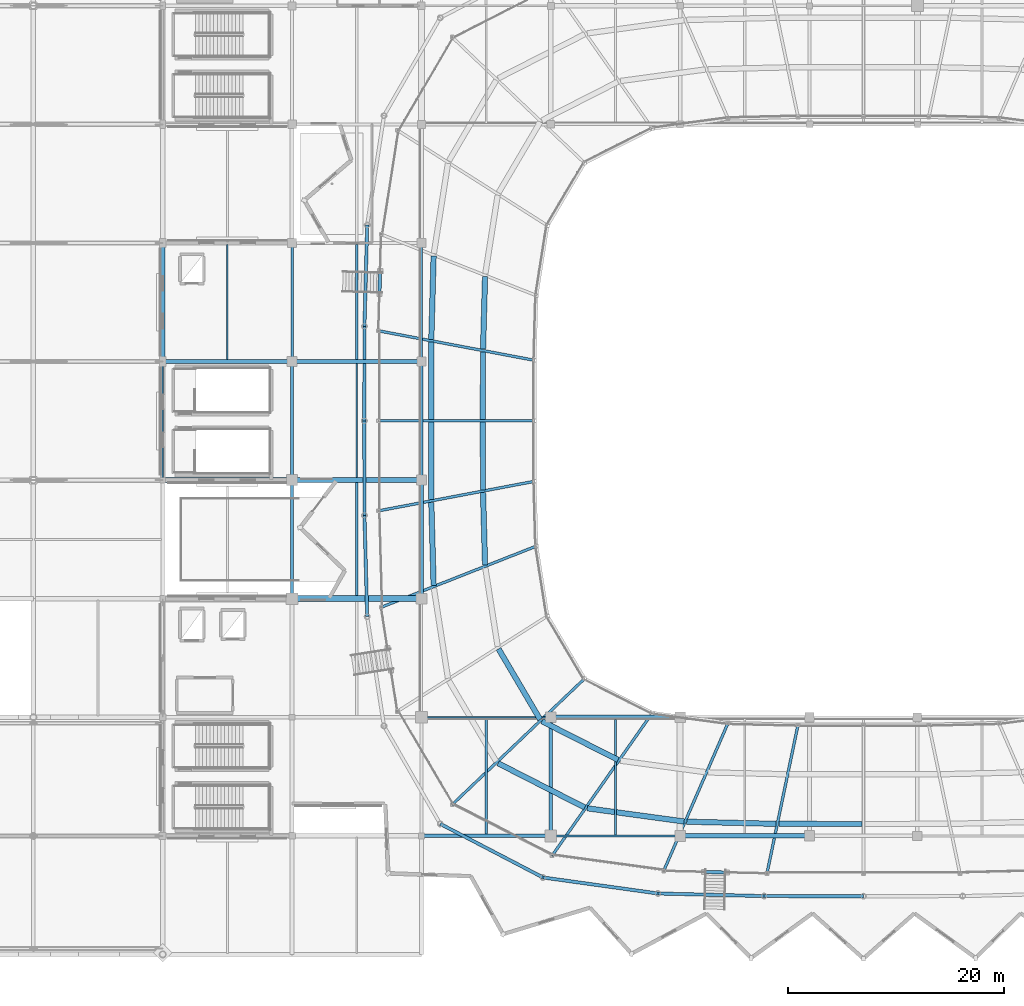
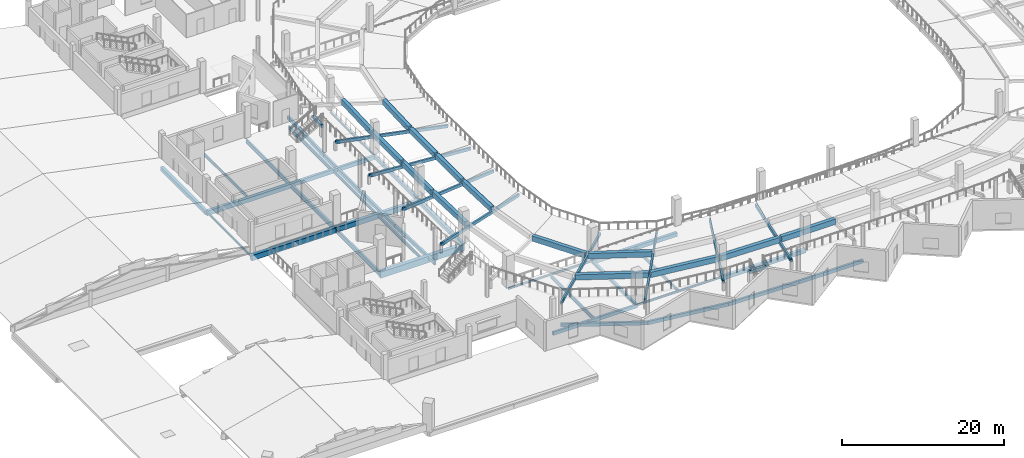
# One storey, part 28 of 77: 57 beams.
"""IFC4 building model written with IfcOpenShell, lengths in metres."""

from ifc_helpers import new_model, si_unit, direction, frame, origin, origin_2d, place, context, subcontext, project, spatial, rectangle, hollow_rectangle, i_section, extrude, material, material_profile, profile_set, type_object, element, save


model = new_model("IFC4")

# Units and contexts
model_context = context("Model", 3, precision=1e-05, world=origin(), true_north=direction((0.0, 1.0)))
body_context = subcontext(model_context, "Body", "Model", "MODEL_VIEW")
ifc_project = project(units=[si_unit("LENGTHUNIT", "METRE"), si_unit("AREAUNIT", "SQUARE_METRE"), si_unit("VOLUMEUNIT", "CUBIC_METRE"), si_unit("PLANEANGLEUNIT", "RADIAN"), si_unit("MASSUNIT", "GRAM", prefix="KILO")], contexts=[model_context])

# Site, building, storey
site_placement = place(None, origin())
site = spatial("IfcSite", under=ifc_project, at=site_placement, CompositionType="ELEMENT")
building_placement = place(site_placement, origin())
building = spatial("IfcBuilding", under=site, at=building_placement, Name="Luwafu Chhajja Arena", CompositionType="ELEMENT")
storey_placement = place(building_placement, frame((0.0, 0.0, 14.699951171875)))
storey = spatial("IfcBuildingStorey", under=building, at=storey_placement, Name="L03", CompositionType="ELEMENT", Elevation=14.699951171875)

# Beams
ifc_material_1 = material(Name="Concrete C35/45", Category="concrete")
ifc_material_profile_1 = material_profile(ifc_material_1, rectangle(XDim=0.35009765625, YDim=0.60009765625, at=origin_2d()), Name="RC 350x600")
ifc_profile_set_1 = profile_set([ifc_material_profile_1], Name="Concrete C35/45")
beam_type_1 = type_object("IfcBeamType", Name="Arcade Tie Beam RC 350x600", PredefinedType="BEAM", material=ifc_profile_set_1)
beam_1_placement = place(storey_placement, frame((46.0, 55.0, -0.68994140625), z_axis=(1.0, 0.0, 0.0), x_axis=(0.0, 1.0, 0.0)))
element("IfcBeam", 1, at=beam_1_placement, inside=storey, type_object=beam_type_1, Name="L03 Grid Beam 5-6/F", PredefinedType="BEAM", context=body_context, shape_type="SweptSolid", body=[
    extrude(rectangle(XDim=0.35009765625, YDim=0.60009765625, at=origin_2d()), origin(), (0.0, 0.0, 1.0), 12.0),
])
ifc_material_2 = material(Name="Steel S355", Category="steel")
ifc_material_profile_2 = material_profile(ifc_material_2, hollow_rectangle(XDim=0.25, YDim=0.449951171875, WallThickness=0.01611328125, at=origin_2d()), Name="RHS 450x250x16")
ifc_profile_set_2 = profile_set([ifc_material_profile_2], Name="Steel S355")
beam_type_2 = type_object("IfcBeamType", Name="Cantilevered Upper Bowl Raker RHS 450x250", PredefinedType="USERDEFINED", material=ifc_profile_set_2)
beam_2_placement = place(storey_placement, frame((68.50830078125, 55.10791015625, 0.239990234375), z_axis=(-0.980389588619, 0.185589783348, 0.066277347897), x_axis=(-0.185998750089, -0.982549980899, 0.0)))
element("IfcBeam", 2, at=beam_2_placement, inside=storey, type_object=beam_type_2, Name="Upper Bowl Raker RKR-U16", ObjectType="RAKER", PredefinedType="USERDEFINED", context=body_context, shape_type="SweptSolid", body=[
    extrude(hollow_rectangle(XDim=0.25, YDim=0.449951171875, WallThickness=0.01611328125, at=origin_2d()), origin(), (0.0, 0.0, 1.0), 14.7861328125),
])
beam_3_placement = place(storey_placement, frame((68.5, 49.5, 0.239990234375), z_axis=(-0.997723937694, 0.0, 0.067431032562), x_axis=(0.0, -1.0, 0.0)))
element("IfcBeam", 3, at=beam_3_placement, inside=storey, type_object=beam_type_2, Name="Upper Bowl Raker RKR-U17", ObjectType="RAKER", PredefinedType="USERDEFINED", context=body_context, shape_type="SweptSolid", body=[
    extrude(hollow_rectangle(XDim=0.25, YDim=0.449951171875, WallThickness=0.01611328125, at=origin_2d()), origin(), (0.0, 0.0, 1.0), 14.532958984375),
])
beam_4_placement = place(storey_placement, frame((68.50830078125, 43.89208984375, 0.239990234375), z_axis=(-0.980389588619, -0.185589783348, 0.066277347897), x_axis=(0.185998750089, -0.982549980899, 0.0)))
element("IfcBeam", 4, at=beam_4_placement, inside=storey, type_object=beam_type_2, Name="Upper Bowl Raker RKR-U18", ObjectType="RAKER", PredefinedType="USERDEFINED", context=body_context, shape_type="SweptSolid", body=[
    extrude(hollow_rectangle(XDim=0.25, YDim=0.449951171875, WallThickness=0.01611328125, at=origin_2d()), origin(), (0.0, 0.0, 1.0), 14.7861328125),
])
beam_5_placement = place(storey_placement, frame((68.676513671875, 37.88671875, 0.239990234375), z_axis=(-0.928463965144, -0.366020596475, 0.063115674639), x_axis=(0.366751819568, -0.930318817849, 0.0)))
element("IfcBeam", 5, at=beam_5_placement, inside=storey, type_object=beam_type_2, Name="Upper Bowl Raker RKR-U19", ObjectType="RAKER", PredefinedType="USERDEFINED", context=body_context, shape_type="SweptSolid", body=[
    extrude(hollow_rectangle(XDim=0.25, YDim=0.449951171875, WallThickness=0.01611328125, at=origin_2d()), origin(), (0.0, 0.0, 1.0), 15.52685546875),
])
beam_6_placement = place(storey_placement, frame((73.14013671875, 25.590087890625, 0.239990234375), z_axis=(-0.723171081086, -0.688259076596, 0.057645736744), x_axis=(0.689405487669, -0.724375643966, 0.0)))
element("IfcBeam", 6, at=beam_6_placement, inside=storey, type_object=beam_type_2, Name="Upper Bowl Raker RKR-U21", ObjectType="RAKER", PredefinedType="USERDEFINED", context=body_context, shape_type="SweptSolid", body=[
    extrude(hollow_rectangle(XDim=0.25, YDim=0.449951171875, WallThickness=0.01611328125, at=origin_2d()), origin(), (0.0, 0.0, 1.0), 17.0),
])
beam_7_placement = place(storey_placement, frame((79.42333984375, 22.410888671875, 0.239990234375), z_axis=(-0.573550026627, -0.816941301272, 0.060392691873), x_axis=(0.818435194703, -0.574598844474, 0.0)))
element("IfcBeam", 7, at=beam_7_placement, inside=storey, type_object=beam_type_2, Name="Upper Bowl Raker RKR-U22", ObjectType="RAKER", PredefinedType="USERDEFINED", context=body_context, shape_type="SweptSolid", body=[
    extrude(hollow_rectangle(XDim=0.25, YDim=0.449951171875, WallThickness=0.01611328125, at=origin_2d()), origin(), (0.0, 0.0, 1.0), 16.226806640625),
])
beam_8_placement = place(storey_placement, frame((86.439697265625, 21.463134765625, 0.239990234375), z_axis=(-0.398223154661, -0.914957546199, 0.065352947496), x_axis=(0.916917722769, -0.399076295553, 0.0)))
element("IfcBeam", 8, at=beam_8_placement, inside=storey, type_object=beam_type_2, Name="Upper Bowl Raker RKR-U23", ObjectType="RAKER", PredefinedType="USERDEFINED", context=body_context, shape_type="SweptSolid", body=[
    extrude(hollow_rectangle(XDim=0.25, YDim=0.449951171875, WallThickness=0.01611328125, at=origin_2d()), origin(), (0.0, 0.0, 1.0), 14.9951171875),
])
beam_9_placement = place(storey_placement, frame((92.934814453125, 21.3076171875, 0.239990234375), z_axis=(-0.204077146452, -0.976494457749, 0.069362037753), x_axis=(0.9788519703, -0.204569841961, 0.0)))
element("IfcBeam", 9, at=beam_9_placement, inside=storey, type_object=beam_type_2, Name="Upper Bowl Raker RKR-U24", ObjectType="RAKER", PredefinedType="USERDEFINED", context=body_context, shape_type="SweptSolid", body=[
    extrude(hollow_rectangle(XDim=0.25, YDim=0.449951171875, WallThickness=0.01611328125, at=origin_2d()), origin(), (0.0, 0.0, 1.0), 14.12841796875),
])
ifc_material_profile_3 = material_profile(ifc_material_2, i_section(OverallWidth=0.165771484375, OverallDepth=0.306640625, WebThickness=0.006591796875, FlangeThickness=0.01171875, at=origin_2d()), Name="UB 305x165x46")
ifc_profile_set_3 = profile_set([ifc_material_profile_3], Name="Steel S355")
beam_type_3 = type_object("IfcBeamType", Name="Concourse Edge Spandrel Beam UB 305x165x46", PredefinedType="SPANDREL", material=ifc_profile_set_3)
for number, where, z_axis, x_axis, name in (
    (10, (58.0, 22.0, -0.543212890625), (1.0, 0.0, 0.0), (0.0, 1.0, 0.0), "L03 Grid Beam 6-7/C"),
    (11, (70.0, 11.0, -0.543212890625), (1.0, 0.0, 0.0), (0.0, 1.0, 0.0), "L03 Grid Beam 7-8/B"),
):
    element("IfcBeam", number, at=place(storey_placement, frame(where, z_axis=z_axis, x_axis=x_axis)), inside=storey, type_object=beam_type_3, Name=name, PredefinedType="SPANDREL", context=body_context, shape_type="SweptSolid", body=[
        extrude(i_section(OverallWidth=0.165771484375, OverallDepth=0.306640625, WebThickness=0.006591796875, FlangeThickness=0.01171875, at=origin_2d()), origin(), (0.0, 0.0, 1.0), 12.0),
    ])
for number, where, z_axis, x_axis, name in (
    (12, (34.0, 44.0, -0.543212890625), (0.0, 1.0, 0.0), (-1.0, 0.0, 0.0), "L03 Grid Beam 4/E-F"),
    (13, (58.0, 55.0, -0.543212890625), (0.0, 1.0, 0.0), (-1.0, 0.0, 0.0), "L03 Grid Beam 6/F-G"),
):
    element("IfcBeam", number, at=place(storey_placement, frame(where, z_axis=z_axis, x_axis=x_axis)), inside=storey, type_object=beam_type_3, Name=name, PredefinedType="SPANDREL", context=body_context, shape_type="SweptSolid", body=[
        extrude(i_section(OverallWidth=0.165771484375, OverallDepth=0.306640625, WebThickness=0.006591796875, FlangeThickness=0.01171875, at=origin_2d()), origin(), (0.0, 0.0, 1.0), 11.0),
    ])
ifc_material_profile_4 = material_profile(ifc_material_1, rectangle(XDim=0.550048828125, YDim=0.949951171875, at=origin_2d()), Name="RC 550x950")
ifc_profile_set_4 = profile_set([ifc_material_profile_4], Name="Concrete C35/45")
beam_type_4 = type_object("IfcBeamType", Name="Concourse Radial Girder RC 550x950", PredefinedType="BEAM", material=ifc_profile_set_4)
beam_10_placement = place(storey_placement, frame((46.0, 33.0, -0.864990234375), z_axis=(1.0, 0.0, 0.0), x_axis=(0.0, 1.0, 0.0)))
element("IfcBeam", 14, at=beam_10_placement, inside=storey, type_object=beam_type_4, Name="L03 Grid Beam 5-6/D", PredefinedType="BEAM", context=body_context, shape_type="SweptSolid", body=[
    extrude(rectangle(XDim=0.550048828125, YDim=0.949951171875, at=origin_2d()), origin(), (0.0, 0.0, 1.0), 12.0),
])
ifc_material_profile_5 = material_profile(ifc_material_2, i_section(OverallWidth=0.15283203125, OverallDepth=0.45458984375, WebThickness=0.008056640625, FlangeThickness=0.01318359375, at=origin_2d()), Name="UB 457x152x60")
ifc_profile_set_5 = profile_set([ifc_material_profile_5], Name="Steel S355")
beam_type_5 = type_object("IfcBeamType", Name="Floor Joist UB 457x152x60", PredefinedType="JOIST", material=ifc_profile_set_5)
beam_11_placement = place(storey_placement, frame((40.0, 55.199951171875, -0.6171875), z_axis=(0.0, 1.0, 0.0), x_axis=(-1.0, 0.0, 0.0)))
element("IfcBeam", 15, at=beam_11_placement, inside=storey, type_object=beam_type_5, Name="L03 Secondary Joist 4-5/F", PredefinedType="JOIST", context=body_context, shape_type="SweptSolid", body=[
    extrude(i_section(OverallWidth=0.15283203125, OverallDepth=0.45458984375, WebThickness=0.008056640625, FlangeThickness=0.01318359375, at=origin_2d()), origin(), (0.0, 0.0, 1.0), 10.650146484375),
])
beam_12_placement = place(storey_placement, frame((52.0, 44.22509765625, -0.6171875), z_axis=(0.0, 1.0, 0.0), x_axis=(-1.0, 0.0, 0.0)))
element("IfcBeam", 16, at=beam_12_placement, inside=storey, type_object=beam_type_5, Name="L03 Secondary Joist 5-6/E", PredefinedType="JOIST", context=body_context, shape_type="SweptSolid", body=[
    extrude(i_section(OverallWidth=0.15283203125, OverallDepth=0.45458984375, WebThickness=0.008056640625, FlangeThickness=0.01318359375, at=origin_2d()), origin(), (0.0, 0.0, 1.0), 10.599853515625),
])
ifc_material_profile_6 = material_profile(ifc_material_2, i_section(OverallWidth=0.19140625, OverallDepth=0.4599609375, WebThickness=0.010009765625, FlangeThickness=0.01611328125, at=origin_2d()), Name="UB 457x191x82")
ifc_profile_set_6 = profile_set([ifc_material_profile_6], Name="Steel S355")
beam_type_6 = type_object("IfcBeamType", Name="Floor Joist UB 457x191x82", PredefinedType="JOIST", material=ifc_profile_set_6)
beam_13_placement = place(storey_placement, frame((52.0, 33.27490234375, -0.619873046875), z_axis=(0.0, 1.0, 0.0), x_axis=(-1.0, 0.0, 0.0)))
element("IfcBeam", 17, at=beam_13_placement, inside=storey, type_object=beam_type_6, Name="L03 Secondary Joist 5-6/D", PredefinedType="JOIST", context=body_context, shape_type="SweptSolid", body=[
    extrude(i_section(OverallWidth=0.19140625, OverallDepth=0.4599609375, WebThickness=0.010009765625, FlangeThickness=0.01611328125, at=origin_2d()), origin(), (0.0, 0.0, 1.0), 10.5),
])
beam_14_placement = place(storey_placement, frame((76.0, 11.0830078125, -0.619873046875), z_axis=(0.0, 1.0, 0.0), x_axis=(-1.0, 0.0, 0.0)))
element("IfcBeam", 18, at=beam_14_placement, inside=storey, type_object=beam_type_6, Name="L03 Secondary Joist 7-8/B", PredefinedType="JOIST", context=body_context, shape_type="SweptSolid", body=[
    extrude(i_section(OverallWidth=0.19140625, OverallDepth=0.4599609375, WebThickness=0.010009765625, FlangeThickness=0.01611328125, at=origin_2d()), origin(), (0.0, 0.0, 1.0), 10.717041015625),
])
ifc_material_profile_7 = material_profile(ifc_material_2, i_section(OverallWidth=0.2099609375, OverallDepth=0.53662109375, WebThickness=0.0107421875, FlangeThickness=0.017333984375, at=origin_2d()), Name="UB 533x210x101")
ifc_profile_set_7 = profile_set([ifc_material_profile_7], Name="Steel S355")
beam_type_7 = type_object("IfcBeamType", Name="Floor Joist UB 533x210x101", PredefinedType="JOIST", material=ifc_profile_set_7)
beam_15_placement = place(storey_placement, frame((52.0, 55.175048828125, -0.658203125), z_axis=(0.0, 1.0, 0.0), x_axis=(-1.0, 0.0, 0.0)))
element("IfcBeam", 19, at=beam_15_placement, inside=storey, type_object=beam_type_7, Name="L03 Secondary Joist 5-6/F", PredefinedType="JOIST", context=body_context, shape_type="SweptSolid", body=[
    extrude(i_section(OverallWidth=0.2099609375, OverallDepth=0.53662109375, WebThickness=0.0107421875, FlangeThickness=0.017333984375, at=origin_2d()), origin(), (0.0, 0.0, 1.0), 10.67138671875),
])
ifc_material_profile_8 = material_profile(ifc_material_2, i_section(OverallWidth=0.209228515625, OverallDepth=0.533203125, WebThickness=0.010009765625, FlangeThickness=0.015625, at=origin_2d()), Name="UB 533x210x92")
ifc_profile_set_8 = profile_set([ifc_material_profile_8], Name="Steel S355")
beam_type_8 = type_object("IfcBeamType", Name="Floor Joist UB 533x210x92", PredefinedType="JOIST", material=ifc_profile_set_8)
beam_16_placement = place(storey_placement, frame((64.0, 11.14990234375, -0.656494140625), z_axis=(0.0, 1.0, 0.0), x_axis=(-1.0, 0.0, 0.0)))
element("IfcBeam", 20, at=beam_16_placement, inside=storey, type_object=beam_type_8, Name="L03 Secondary Joist 6-7/B", PredefinedType="JOIST", context=body_context, shape_type="SweptSolid", body=[
    extrude(i_section(OverallWidth=0.209228515625, OverallDepth=0.533203125, WebThickness=0.010009765625, FlangeThickness=0.015625, at=origin_2d()), origin(), (0.0, 0.0, 1.0), 10.76708984375),
])
ifc_material_profile_9 = material_profile(ifc_material_1, rectangle(XDim=0.5, YDim=0.800048828125, at=origin_2d()), Name="RC 500x800")
ifc_profile_set_9 = profile_set([ifc_material_profile_9], Name="Concrete C35/45")
beam_type_9 = type_object("IfcBeamType", Name="Hospitality Primary Beam RC 500x800", PredefinedType="BEAM", material=ifc_profile_set_9)
beam_17_placement = place(storey_placement, frame((34.0, 44.0, -0.7900390625), z_axis=(1.0, 0.0, 0.0), x_axis=(0.0, 1.0, 0.0)))
element("IfcBeam", 21, at=beam_17_placement, inside=storey, type_object=beam_type_9, Name="L03 Grid Beam 4-5/E", PredefinedType="BEAM", context=body_context, shape_type="SweptSolid", body=[
    extrude(rectangle(XDim=0.5, YDim=0.800048828125, at=origin_2d()), origin(), (0.0, 0.0, 1.0), 12.0),
])
beam_18_placement = place(storey_placement, frame((63.90087890625, 62.882568359375, 0.800048828125), z_axis=(-0.027901842029, -0.999610667816, 0.0), x_axis=(0.999610667816, -0.027901842029, 0.0)))
element("IfcBeam", 22, at=beam_18_placement, inside=storey, type_object=beam_type_9, Name="Upper Tier Ring Beam S15-B2", PredefinedType="BEAM", context=body_context, shape_type="SweptSolid", body=[
    extrude(rectangle(XDim=0.5, YDim=0.800048828125, at=origin_2d()), origin(), (0.0, 0.0, 1.0), 6.737548828125),
])
beam_19_placement = place(storey_placement, frame((59.128662109375, 64.77685546875, 1.380126953125), z_axis=(-0.027774969732, -0.999614201108, 0.0), x_axis=(0.999614201108, -0.027774969732, 0.0)))
element("IfcBeam", 23, at=beam_19_placement, inside=storey, type_object=beam_type_9, Name="Upper Tier Ring Beam S15-B3", PredefinedType="BEAM", context=body_context, shape_type="SweptSolid", body=[
    extrude(rectangle(XDim=0.5, YDim=0.800048828125, at=origin_2d()), origin(), (0.0, 0.0, 1.0), 7.717529296875),
])
beam_20_placement = place(storey_placement, frame((63.709228515625, 55.897705078125, 0.800048828125), z_axis=(-0.001440079463, -0.999998963085, 0.0), x_axis=(0.999998963085, -0.001440079463, 0.0)))
element("IfcBeam", 24, at=beam_20_placement, inside=storey, type_object=beam_type_9, Name="Upper Tier Ring Beam S16-B2", PredefinedType="BEAM", context=body_context, shape_type="SweptSolid", body=[
    extrude(rectangle(XDim=0.5, YDim=0.800048828125, at=origin_2d()), origin(), (0.0, 0.0, 1.0), 6.272705078125),
])
beam_21_placement = place(storey_placement, frame((58.91064453125, 56.812255859375, 1.380126953125), z_axis=(-0.001460645882, -0.999998933256, 0.0), x_axis=(0.999998933256, -0.001460645882, 0.0)))
element("IfcBeam", 25, at=beam_21_placement, inside=storey, type_object=beam_type_9, Name="Upper Tier Ring Beam S16-B3", PredefinedType="BEAM", context=body_context, shape_type="SweptSolid", body=[
    extrude(rectangle(XDim=0.5, YDim=0.800048828125, at=origin_2d()), origin(), (0.0, 0.0, 1.0), 7.187255859375),
])
beam_22_placement = place(storey_placement, frame((63.7001953125, 49.375, 0.800048828125), z_axis=(0.001440079463, -0.999998963085, 0.0), x_axis=(0.999998963085, 0.001440079463, 0.0)))
element("IfcBeam", 26, at=beam_22_placement, inside=storey, type_object=beam_type_9, Name="Upper Tier Ring Beam S17-B2", PredefinedType="BEAM", context=body_context, shape_type="SweptSolid", body=[
    extrude(rectangle(XDim=0.5, YDim=0.800048828125, at=origin_2d()), origin(), (0.0, 0.0, 1.0), 6.272705078125),
])
beam_23_placement = place(storey_placement, frame((58.900146484375, 49.375, 1.380126953125), z_axis=(0.001460645882, -0.999998933256, 0.0), x_axis=(0.999998933256, 0.001460645882, 0.0)))
element("IfcBeam", 27, at=beam_23_placement, inside=storey, type_object=beam_type_9, Name="Upper Tier Ring Beam S17-B3", PredefinedType="BEAM", context=body_context, shape_type="SweptSolid", body=[
    extrude(rectangle(XDim=0.5, YDim=0.800048828125, at=origin_2d()), origin(), (0.0, 0.0, 1.0), 7.187255859375),
])
beam_24_placement = place(storey_placement, frame((63.712890625, 42.852294921875, 0.800048828125), z_axis=(0.027901842029, -0.999610667816, 0.0), x_axis=(0.999610667816, 0.027901842029, 0.0)))
element("IfcBeam", 28, at=beam_24_placement, inside=storey, type_object=beam_type_9, Name="Upper Tier Ring Beam S18-B2", PredefinedType="BEAM", context=body_context, shape_type="SweptSolid", body=[
    extrude(rectangle(XDim=0.5, YDim=0.800048828125, at=origin_2d()), origin(), (0.0, 0.0, 1.0), 6.737548828125),
])
beam_25_placement = place(storey_placement, frame((58.914306640625, 41.937744140625, 1.380126953125), z_axis=(0.027774969732, -0.999614201108, 0.0), x_axis=(0.999614201108, 0.027774969732, 0.0)))
element("IfcBeam", 29, at=beam_25_placement, inside=storey, type_object=beam_type_9, Name="Upper Tier Ring Beam S18-B3", PredefinedType="BEAM", context=body_context, shape_type="SweptSolid", body=[
    extrude(rectangle(XDim=0.5, YDim=0.800048828125, at=origin_2d()), origin(), (0.0, 0.0, 1.0), 7.717529296875),
])
beam_26_placement = place(storey_placement, frame((65.154052734375, 28.33935546875, 0.800048828125), z_axis=(0.507517540406, -0.861641425525, 0.0), x_axis=(0.861641425525, 0.507517540406, 0.0)))
element("IfcBeam", 30, at=beam_26_placement, inside=storey, type_object=beam_type_9, Name="Upper Tier Ring Beam S20-B2", PredefinedType="BEAM", context=body_context, shape_type="SweptSolid", body=[
    extrude(rectangle(XDim=0.5, YDim=0.800048828125, at=origin_2d()), origin(), (0.0, 0.0, 1.0), 7.591796875),
])
beam_27_placement = place(storey_placement, frame((69.181884765625, 21.63330078125, 0.800048828125), z_axis=(0.891381324979, -0.453254159913, 0.0), x_axis=(0.453254159913, 0.891381324979, 0.0)))
element("IfcBeam", 31, at=beam_27_placement, inside=storey, type_object=beam_type_9, Name="Upper Tier Ring Beam S21-B2", PredefinedType="BEAM", context=body_context, shape_type="SweptSolid", body=[
    extrude(rectangle(XDim=0.5, YDim=0.800048828125, at=origin_2d()), origin(), (0.0, 0.0, 1.0), 7.908203125),
])
beam_28_placement = place(storey_placement, frame((65.112060546875, 17.733154296875, 1.380126953125), z_axis=(0.890679385598, -0.454631974316, 0.0), x_axis=(0.454631974316, 0.890679385598, 0.0)))
element("IfcBeam", 32, at=beam_28_placement, inside=storey, type_object=beam_type_9, Name="Upper Tier Ring Beam S21-B3", PredefinedType="BEAM", context=body_context, shape_type="SweptSolid", body=[
    extrude(rectangle(XDim=0.5, YDim=0.800048828125, at=origin_2d()), origin(), (0.0, 0.0, 1.0), 9.02490234375),
])
beam_29_placement = place(storey_placement, frame((73.385498046875, 13.556396484375, 1.380126953125), z_axis=(0.990848033552, -0.134982126249, 0.0), x_axis=(0.134982126249, 0.990848033552, 0.0)))
element("IfcBeam", 33, at=beam_29_placement, inside=storey, type_object=beam_type_9, Name="Upper Tier Ring Beam S22-B3", PredefinedType="BEAM", context=body_context, shape_type="SweptSolid", body=[
    extrude(rectangle(XDim=0.5, YDim=0.800048828125, at=origin_2d()), origin(), (0.0, 0.0, 1.0), 9.059814453125),
])
beam_30_placement = place(storey_placement, frame((82.611083984375, 12.3134765625, 1.380126953125), z_axis=(0.999707814625, -0.024171995753, 0.0), x_axis=(0.024171995753, 0.999707814625, 0.0)))
element("IfcBeam", 34, at=beam_30_placement, inside=storey, type_object=beam_type_9, Name="Upper Tier Ring Beam S23-B3", PredefinedType="BEAM", context=body_context, shape_type="SweptSolid", body=[
    extrude(rectangle(XDim=0.5, YDim=0.800048828125, at=origin_2d()), origin(), (0.0, 0.0, 1.0), 8.292236328125),
])
beam_31_placement = place(storey_placement, frame((91.15087890625, 12.10986328125, 1.380126953125), z_axis=(0.999999200771, -0.001264301411, 0.0), x_axis=(0.001264301411, 0.999999200771, 0.0)))
element("IfcBeam", 35, at=beam_31_placement, inside=storey, type_object=beam_type_9, Name="Upper Tier Ring Beam S24-B3", PredefinedType="BEAM", context=body_context, shape_type="SweptSolid", body=[
    extrude(rectangle(XDim=0.5, YDim=0.800048828125, at=origin_2d()), origin(), (0.0, 0.0, 1.0), 7.72412109375),
])
ifc_material_profile_10 = material_profile(ifc_material_2, hollow_rectangle(XDim=0.300048828125, YDim=0.5, WallThickness=0.02001953125, at=origin_2d()), Name="RHS 500x300x20")
ifc_profile_set_10 = profile_set([ifc_material_profile_10], Name="Steel S355")
beam_type_10 = type_object("IfcBeamType", Name="Pleated Drum Spandrel Beam RHS 500x300", PredefinedType="SPANDREL", material=ifc_profile_set_10)
beam_32_placement = place(storey_placement, frame((58.0, 11.0, -0.639892578125), z_axis=(1.0, 0.0, 0.0), x_axis=(0.0, 1.0, 0.0)))
element("IfcBeam", 36, at=beam_32_placement, inside=storey, type_object=beam_type_10, Name="L03 Grid Beam 6-7/B", PredefinedType="SPANDREL", context=body_context, shape_type="SweptSolid", body=[
    extrude(hollow_rectangle(XDim=0.300048828125, YDim=0.5, WallThickness=0.02001953125, at=origin_2d()), origin(), (0.0, 0.0, 1.0), 12.0),
])
beam_33_placement = place(storey_placement, frame((58.0, 44.0, -0.639892578125), z_axis=(0.0, 1.0, 0.0), x_axis=(-1.0, 0.0, 0.0)))
element("IfcBeam", 37, at=beam_33_placement, inside=storey, type_object=beam_type_10, Name="L03 Grid Beam 6/E-F", PredefinedType="SPANDREL", context=body_context, shape_type="SweptSolid", body=[
    extrude(hollow_rectangle(XDim=0.300048828125, YDim=0.5, WallThickness=0.02001953125, at=origin_2d()), origin(), (0.0, 0.0, 1.0), 11.0),
])
beam_34_placement = place(storey_placement, frame((52.968017578125, 67.6611328125, -0.639892578125), z_axis=(-0.02720805866, -0.999629792245, 0.0), x_axis=(0.999629792245, -0.02720805866, 0.0)))
element("IfcBeam", 38, at=beam_34_placement, inside=storey, type_object=beam_type_10, Name="L03 Drum Ring Spandrel D15-D16", PredefinedType="SPANDREL", context=body_context, shape_type="SweptSolid", body=[
    extrude(hollow_rectangle(XDim=0.300048828125, YDim=0.5, WallThickness=0.02001953125, at=origin_2d()), origin(), (0.0, 0.0, 1.0), 9.394775390625),
])
for number, where, z_axis, x_axis, name in (
    (39, (52.71240234375, 58.269775390625, -0.639892578125), (-0.001419780869, -0.999998992111, 0.0), (0.999998992111, -0.001419780869, 0.0), "L03 Drum Ring Spandrel D16-D17"),
    (40, (52.699951171875, 49.5, -0.639892578125), (0.001419780869, -0.999998992111, 0.0), (0.999998992111, 0.001419780869, 0.0), "L03 Drum Ring Spandrel D17-D18"),
):
    element("IfcBeam", number, at=place(storey_placement, frame(where, z_axis=z_axis, x_axis=x_axis)), inside=storey, type_object=beam_type_10, Name=name, PredefinedType="SPANDREL", context=body_context, shape_type="SweptSolid", body=[
        extrude(hollow_rectangle(XDim=0.300048828125, YDim=0.5, WallThickness=0.02001953125, at=origin_2d()), origin(), (0.0, 0.0, 1.0), 8.769775390625),
    ])
beam_35_placement = place(storey_placement, frame((52.71240234375, 40.730224609375, -0.639892578125), z_axis=(0.02720805866, -0.999629792245, 0.0), x_axis=(0.999629792245, 0.02720805866, 0.0)))
element("IfcBeam", 41, at=beam_35_placement, inside=storey, type_object=beam_type_10, Name="L03 Drum Ring Spandrel D18-D19", PredefinedType="SPANDREL", context=body_context, shape_type="SweptSolid", body=[
    extrude(hollow_rectangle(XDim=0.300048828125, YDim=0.5, WallThickness=0.02001953125, at=origin_2d()), origin(), (0.0, 0.0, 1.0), 9.394775390625),
])
beam_36_placement = place(storey_placement, frame((59.743896484375, 12.109130859375, -0.639892578125), z_axis=(0.886755170812, -0.462239404463, 0.0), x_axis=(0.462239404463, 0.886755170812, 0.0)))
element("IfcBeam", 42, at=beam_36_placement, inside=storey, type_object=beam_type_10, Name="L03 Drum Ring Spandrel D21-D22", PredefinedType="SPANDREL", context=body_context, shape_type="SweptSolid", body=[
    extrude(hollow_rectangle(XDim=0.300048828125, YDim=0.5, WallThickness=0.02001953125, at=origin_2d()), origin(), (0.0, 0.0, 1.0), 10.756103515625),
])
beam_37_placement = place(storey_placement, frame((69.281982421875, 7.13720703125, -0.639892578125), z_axis=(0.990458730054, -0.137809666058, 0.0), x_axis=(0.137809666058, 0.990458730054, 0.0)))
element("IfcBeam", 43, at=beam_37_placement, inside=storey, type_object=beam_type_10, Name="L03 Drum Ring Spandrel D22-D23", PredefinedType="SPANDREL", context=body_context, shape_type="SweptSolid", body=[
    extrude(hollow_rectangle(XDim=0.300048828125, YDim=0.5, WallThickness=0.02001953125, at=origin_2d()), origin(), (0.0, 0.0, 1.0), 10.75341796875),
])
beam_38_placement = place(storey_placement, frame((79.932861328125, 5.6552734375, -0.639892578125), z_axis=(0.999695420837, -0.024679253567, 0.0), x_axis=(0.024679253567, 0.999695420837, 0.0)))
element("IfcBeam", 44, at=beam_38_placement, inside=storey, type_object=beam_type_10, Name="L03 Drum Ring Spandrel D23-D24", PredefinedType="SPANDREL", context=body_context, shape_type="SweptSolid", body=[
    extrude(hollow_rectangle(XDim=0.300048828125, YDim=0.5, WallThickness=0.02001953125, at=origin_2d()), origin(), (0.0, 0.0, 1.0), 9.86279296875),
])
beam_39_placement = place(storey_placement, frame((89.792724609375, 5.411865234375, -0.639892578125), z_axis=(0.999999155928, -0.001299285621, 0.0), x_axis=(0.001299285621, 0.999999155928, 0.0)))
element("IfcBeam", 45, at=beam_39_placement, inside=storey, type_object=beam_type_10, Name="L03 Drum Ring Spandrel D24-D25", PredefinedType="SPANDREL", context=body_context, shape_type="SweptSolid", body=[
    extrude(hollow_rectangle(XDim=0.300048828125, YDim=0.5, WallThickness=0.02001953125, at=origin_2d()), origin(), (0.0, 0.0, 1.0), 9.207275390625),
])
ifc_material_profile_11 = material_profile(ifc_material_1, rectangle(XDim=0.39990234375, YDim=0.60009765625, at=origin_2d()), Name="RC 400x600")
ifc_profile_set_11 = profile_set([ifc_material_profile_11], Name="Concrete C35/45")
beam_type_11 = type_object("IfcBeamType", Name="Podium Perimeter Spandrel RC 400x600", PredefinedType="SPANDREL", material=ifc_profile_set_11)
for number, where, z_axis, x_axis, name in (
    (46, (70.0, 22.0, -0.68994140625), (1.0, 0.0, 0.0), (0.0, 1.0, 0.0), "L03 Grid Beam 7-8/C"),
    (47, (82.0, 11.0, -0.68994140625), (1.0, 0.0, 0.0), (0.0, 1.0, 0.0), "L03 Grid Beam 8-9/B"),
):
    element("IfcBeam", number, at=place(storey_placement, frame(where, z_axis=z_axis, x_axis=x_axis)), inside=storey, type_object=beam_type_11, Name=name, PredefinedType="SPANDREL", context=body_context, shape_type="SweptSolid", body=[
        extrude(rectangle(XDim=0.39990234375, YDim=0.60009765625, at=origin_2d()), origin(), (0.0, 0.0, 1.0), 12.0),
    ])
for number, where, z_axis, x_axis, name in (
    (48, (34.0, 55.0, -0.68994140625), (0.0, 1.0, 0.0), (-1.0, 0.0, 0.0), "L03 Grid Beam 4/F-G"),
    (49, (58.0, 33.0, -0.68994140625), (0.0, 1.0, 0.0), (-1.0, 0.0, 0.0), "L03 Grid Beam 6/D-E"),
):
    element("IfcBeam", number, at=place(storey_placement, frame(where, z_axis=z_axis, x_axis=x_axis)), inside=storey, type_object=beam_type_11, Name=name, PredefinedType="SPANDREL", context=body_context, shape_type="SweptSolid", body=[
        extrude(rectangle(XDim=0.39990234375, YDim=0.60009765625, at=origin_2d()), origin(), (0.0, 0.0, 1.0), 11.0),
    ])
ifc_material_profile_12 = material_profile(ifc_material_2, i_section(OverallWidth=0.300048828125, OverallDepth=0.5, WebThickness=0.014404296875, FlangeThickness=0.028076171875, at=origin_2d()), Name="HEB 500")
ifc_profile_set_12 = profile_set([ifc_material_profile_12], Name="Steel S355")
beam_type_12 = type_object("IfcBeamType", Name="Steel Atrium Tie Girder HEB 500", PredefinedType="BEAM", material=ifc_profile_set_12)
beam_40_placement = place(storey_placement, frame((70.0, 11.0, -0.639892578125), z_axis=(0.0, 1.0, 0.0), x_axis=(-1.0, 0.0, 0.0)))
element("IfcBeam", 50, at=beam_40_placement, inside=storey, type_object=beam_type_12, Name="L03 Grid Beam 7/B-C", PredefinedType="BEAM", context=body_context, shape_type="SweptSolid", body=[
    extrude(i_section(OverallWidth=0.300048828125, OverallDepth=0.5, WebThickness=0.014404296875, FlangeThickness=0.028076171875, at=origin_2d()), origin(), (0.0, 0.0, 1.0), 11.0),
])
ifc_material_profile_13 = material_profile(ifc_material_2, i_section(OverallWidth=0.253662109375, OverallDepth=0.68359375, WebThickness=0.012451171875, FlangeThickness=0.01904296875, at=origin_2d()), Name="UB 686x254x140")
ifc_profile_set_13 = profile_set([ifc_material_profile_13], Name="Steel S355")
beam_type_13 = type_object("IfcBeamType", Name="Steel Concourse Girder UB 686x254x140", PredefinedType="BEAM", material=ifc_profile_set_13)
beam_41_placement = place(storey_placement, frame((46.0, 33.0, -0.731689453125), z_axis=(0.0, 1.0, 0.0), x_axis=(-1.0, 0.0, 0.0)))
element("IfcBeam", 51, at=beam_41_placement, inside=storey, type_object=beam_type_13, Name="L03 Grid Beam 5/D-E", PredefinedType="BEAM", context=body_context, shape_type="SweptSolid", body=[
    extrude(i_section(OverallWidth=0.253662109375, OverallDepth=0.68359375, WebThickness=0.012451171875, FlangeThickness=0.01904296875, at=origin_2d()), origin(), (0.0, 0.0, 1.0), 11.0),
])
ifc_material_profile_14 = material_profile(ifc_material_2, i_section(OverallWidth=0.30712890625, OverallDepth=0.6201171875, WebThickness=0.01416015625, FlangeThickness=0.023681640625, at=origin_2d()), Name="UB 610x305x179")
ifc_profile_set_14 = profile_set([ifc_material_profile_14], Name="Steel S355")
beam_type_14 = type_object("IfcBeamType", Name="Steel Hospitality Girder UB 610x305x179", PredefinedType="BEAM", material=ifc_profile_set_14)
beam_42_placement = place(storey_placement, frame((46.0, 44.0, -0.699951171875), z_axis=(0.0, 1.0, 0.0), x_axis=(-1.0, 0.0, 0.0)))
element("IfcBeam", 52, at=beam_42_placement, inside=storey, type_object=beam_type_14, Name="L03 Grid Beam 5/E-F", PredefinedType="BEAM", context=body_context, shape_type="SweptSolid", body=[
    extrude(i_section(OverallWidth=0.30712890625, OverallDepth=0.6201171875, WebThickness=0.01416015625, FlangeThickness=0.023681640625, at=origin_2d()), origin(), (0.0, 0.0, 1.0), 11.0),
])
ifc_material_profile_15 = material_profile(ifc_material_2, i_section(OverallWidth=0.22900390625, OverallDepth=0.6123046875, WebThickness=0.011962890625, FlangeThickness=0.01953125, at=origin_2d()), Name="UB 610x229x125")
ifc_profile_set_15 = profile_set([ifc_material_profile_15], Name="Steel S355")
beam_type_15 = type_object("IfcBeamType", Name="Steel Mezzanine Girder UB 610x229x125", PredefinedType="BEAM", material=ifc_profile_set_15)
beam_43_placement = place(storey_placement, frame((46.0, 55.0, -0.696044921875), z_axis=(0.0, 1.0, 0.0), x_axis=(-1.0, 0.0, 0.0)))
element("IfcBeam", 53, at=beam_43_placement, inside=storey, type_object=beam_type_15, Name="L03 Grid Beam 5/F-G", PredefinedType="BEAM", context=body_context, shape_type="SweptSolid", body=[
    extrude(i_section(OverallWidth=0.22900390625, OverallDepth=0.6123046875, WebThickness=0.011962890625, FlangeThickness=0.01953125, at=origin_2d()), origin(), (0.0, 0.0, 1.0), 11.0),
])
ifc_material_3 = material(Name="Precast concrete C40/50", Category="concrete")
ifc_material_profile_16 = material_profile(ifc_material_3, rectangle(XDim=0.300048828125, YDim=0.5, at=origin_2d()), Name="RC 300x500")
ifc_profile_set_16 = profile_set([ifc_material_profile_16], Name="Precast concrete C40/50")
beam_type_16 = type_object("IfcBeamType", Name="Tier Support Beam RC 300x500", PredefinedType="BEAM", material=ifc_profile_set_16)
beam_44_placement = place(storey_placement, frame((54.168212890625, 63.473876953125, 1.550048828125), z_axis=(-0.027702254527, -0.999616218903, 0.0), x_axis=(0.999616218903, -0.027702254527, 0.0)))
element("IfcBeam", 54, at=beam_44_placement, inside=storey, type_object=beam_type_16, Name="L03 Vomitory Header Beam S15", PredefinedType="BEAM", context=body_context, shape_type="SweptSolid", body=[
    extrude(rectangle(XDim=0.300048828125, YDim=0.5, at=origin_2d()), origin(), (0.0, 0.0, 1.0), 2.30029296875),
])
beam_45_placement = place(storey_placement, frame((84.110107421875, 7.655029296875, 1.550048828125), z_axis=(0.999707091833, -0.02420187056, 0.0), x_axis=(0.02420187056, 0.999707091833, 0.0)))
element("IfcBeam", 55, at=beam_45_placement, inside=storey, type_object=beam_type_16, Name="L03 Vomitory Header Beam S23", PredefinedType="BEAM", context=body_context, shape_type="SweptSolid", body=[
    extrude(rectangle(XDim=0.300048828125, YDim=0.5, at=origin_2d()), origin(), (0.0, 0.0, 1.0), 2.300048828125),
])
ifc_material_profile_17 = material_profile(ifc_material_1, rectangle(XDim=0.39990234375, YDim=0.699951171875, at=origin_2d()), Name="RC 400x700")
ifc_profile_set_17 = profile_set([ifc_material_profile_17], Name="Concrete C35/45")
beam_type_17 = type_object("IfcBeamType", Name="Wing Frame Beam RC 400x700", PredefinedType="BEAM", material=ifc_profile_set_17)
beam_46_placement = place(storey_placement, frame((34.0, 55.0, -0.739990234375), z_axis=(1.0, 0.0, 0.0), x_axis=(0.0, 1.0, 0.0)))
element("IfcBeam", 56, at=beam_46_placement, inside=storey, type_object=beam_type_17, Name="L03 Grid Beam 4-5/F", PredefinedType="BEAM", context=body_context, shape_type="SweptSolid", body=[
    extrude(rectangle(XDim=0.39990234375, YDim=0.699951171875, at=origin_2d()), origin(), (0.0, 0.0, 1.0), 12.0),
])
ifc_material_profile_18 = material_profile(ifc_material_1, rectangle(XDim=0.449951171875, YDim=0.75, at=origin_2d()), Name="RC 450x750")
ifc_profile_set_18 = profile_set([ifc_material_profile_18], Name="Concrete C35/45")
beam_type_18 = type_object("IfcBeamType", Name="Wing Primary Beam RC 450x750", PredefinedType="BEAM", material=ifc_profile_set_18)
beam_47_placement = place(storey_placement, frame((46.0, 44.0, -0.764892578125), z_axis=(1.0, 0.0, 0.0), x_axis=(0.0, 1.0, 0.0)))
element("IfcBeam", 57, at=beam_47_placement, inside=storey, type_object=beam_type_18, Name="L03 Grid Beam 5-6/E", PredefinedType="BEAM", context=body_context, shape_type="SweptSolid", body=[
    extrude(rectangle(XDim=0.449951171875, YDim=0.75, at=origin_2d()), origin(), (0.0, 0.0, 1.0), 12.0),
])

save(model, "model.ifc")
